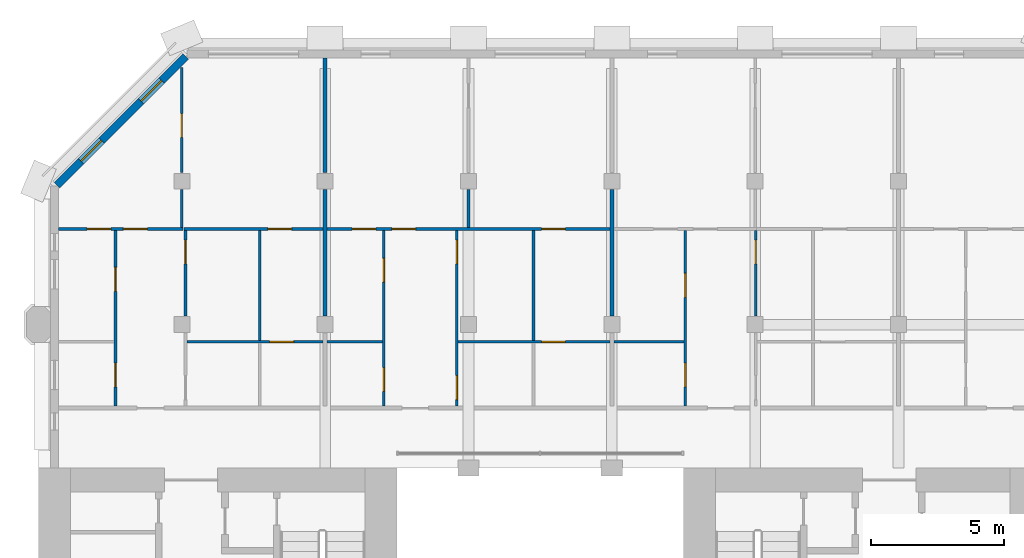
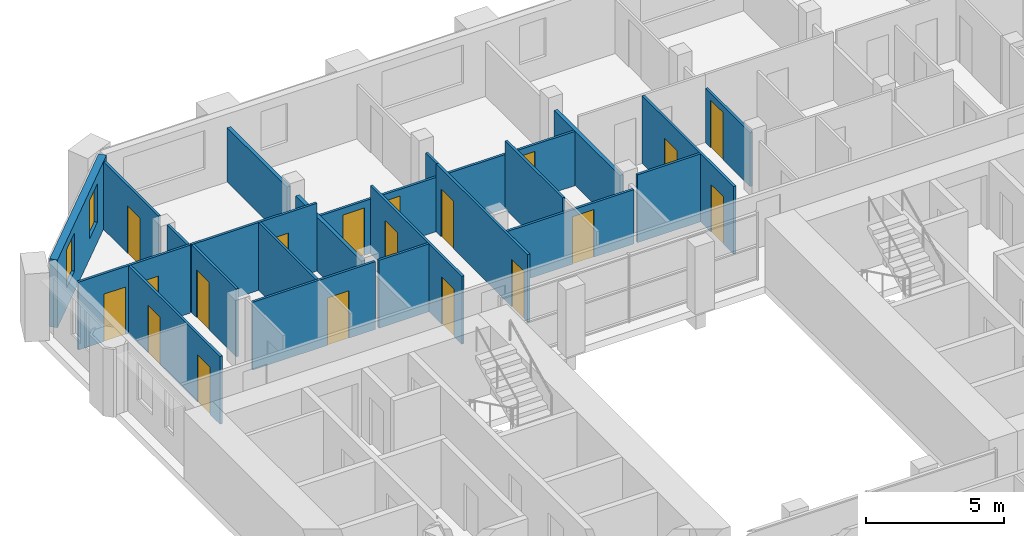
# One storey, part 8 of 13: 22 walls, 19 doors, 2 windows, 21 openings.
"""IFC4 building model written with IfcOpenShell, lengths in metres."""

from ifc_helpers import new_model, si_unit, direction, frame, frame_2d, origin, place, context, subcontext, project, spatial, rectangle, extrude, material, layer, layer_set, type_object, element, fill, save


model = new_model("IFC4")

# Units and contexts
model_context = context("Model", 3, precision=1e-05, world=origin(), true_north=direction((0.0, 1.0)))
body_context = subcontext(model_context, "Body", "Model", "MODEL_VIEW")
ifc_project = project(units=[si_unit("LENGTHUNIT", "METRE"), si_unit("AREAUNIT", "SQUARE_METRE"), si_unit("VOLUMEUNIT", "CUBIC_METRE"), si_unit("PLANEANGLEUNIT", "RADIAN"), si_unit("MASSUNIT", "GRAM", prefix="KILO")], contexts=[model_context])

# Site, building, storey
site_placement = place(None, origin())
site = spatial("IfcSite", under=ifc_project, at=site_placement, CompositionType="ELEMENT")
building_placement = place(site_placement, origin())
building = spatial("IfcBuilding", under=site, at=building_placement, Name="Tabaq Tower and Sports Hall", CompositionType="ELEMENT")
storey_placement = place(building_placement, frame((0.0, 0.0, 291.699951171875)))
storey = spatial("IfcBuildingStorey", under=building, at=storey_placement, Name="L72", CompositionType="ELEMENT", Elevation=291.699951171875)

# Wall, openings, doors
ifc_material_1 = material(Name="Gypsum board on steel studs", Category="steel")
ifc_layer_1 = layer(ifc_material_1, 0.10009765625)
ifc_layer_set_1 = layer_set([ifc_layer_1], Name="Partition 100 Gypsum board")
wall_type_1 = type_object("IfcWallType", Name="Partition 100 Gypsum board", PredefinedType="PARTITIONING", material=ifc_layer_set_1)
wall_1_placement = place(storey_placement, frame((6.15087890625, 41.39990234375, 0.0), z_axis=(0.0, 0.0, 1.0), x_axis=(1.0, 0.0, 0.0)))
wall_1 = element("IfcWall", 1, at=wall_1_placement, inside=storey, type_object=wall_type_1, Name="Partition wall L72", PredefinedType="PARTITIONING", context=body_context, shape_type="SweptSolid", body=[
    extrude(rectangle(XDim=4.69921875, YDim=0.10009765625, at=frame_2d((2.349609375, 0.0))), origin(), (0.0, 0.0, 1.0), 3.0),
])
opening_1_placement = place(wall_1_placement, frame((1.0791015625, 0.0, 0.0)))
opening_1 = element("IfcOpeningElement", 2, at=opening_1_placement, cuts=wall_1, Name="Opening L72-032", PredefinedType="OPENING", context=body_context, shape_type="SweptSolid", body=[
    extrude(rectangle(XDim=0.89990234375, YDim=2.10009765625, at=frame_2d((0.449951171875, 1.050048828125))), frame((0.0, 0.050048828125, 0.0), z_axis=(0.0, -1.0, 0.0), x_axis=(1.0, 0.0, 0.0)), (0.0, 0.0, 1.0), 0.10009765625),
])
opening_2_placement = place(wall_1_placement, frame((2.448974609375, 0.0, 0.0)))
opening_2 = element("IfcOpeningElement", 3, at=opening_2_placement, cuts=wall_1, Name="Opening L72-052", PredefinedType="OPENING", context=body_context, shape_type="SweptSolid", body=[
    extrude(rectangle(XDim=0.89990234375, YDim=2.10009765625, at=frame_2d((0.449951171875, 1.050048828125))), frame((0.0, 0.050048828125, 0.0), z_axis=(0.0, -1.0, 0.0), x_axis=(1.0, 0.0, 0.0)), (0.0, 0.0, 1.0), 0.10009765625),
])
ifc_material_2 = material(Name="Timber leaf in steel frame", Category="steel")
door_type_1 = type_object("IfcDoorType", Name="Internal door 900 left hand", OperationType="SINGLE_SWING_LEFT", PredefinedType="DOOR", material=ifc_material_2)
door_1_placement = place(opening_1_placement, origin())
door_1 = element("IfcDoor", 4, at=door_1_placement, inside=storey, type_object=door_type_1, Name="Internal door L72-032", OperationType="SINGLE_SWING_LEFT", OverallHeight=2.10009765625, OverallWidth=0.89990234375, PredefinedType="DOOR", context=body_context, shape_type="SweptSolid", body=[
    extrude(rectangle(XDim=0.89990234375, YDim=2.10009765625, at=frame_2d((0.449951171875, 1.050048828125))), frame((0.0, 0.02490234375, 0.0), z_axis=(0.0, -1.0, 0.0), x_axis=(1.0, 0.0, 0.0)), (0.0, 0.0, 1.0), 0.050048828125),
])
fill(opening_1, door_1)
ifc_material_3 = material(Name="Timber leaf in steel frame", Category="steel")
door_type_2 = type_object("IfcDoorType", Name="Internal door 900 right hand", OperationType="SINGLE_SWING_RIGHT", PredefinedType="DOOR", material=ifc_material_3)
door_2_placement = place(opening_2_placement, origin())
door_2 = element("IfcDoor", 5, at=door_2_placement, inside=storey, type_object=door_type_2, Name="Internal door L72-052", OperationType="SINGLE_SWING_RIGHT", OverallHeight=2.10009765625, OverallWidth=0.89990234375, PredefinedType="DOOR", context=body_context, shape_type="SweptSolid", body=[
    extrude(rectangle(XDim=0.89990234375, YDim=2.10009765625, at=frame_2d((0.449951171875, 1.050048828125))), frame((0.0, 0.02490234375, 0.0), z_axis=(0.0, -1.0, 0.0), x_axis=(1.0, 0.0, 0.0)), (0.0, 0.0, 1.0), 0.050048828125),
])
fill(opening_2, door_2)

# Wall
wall_2_placement = place(storey_placement, frame((10.800048828125, 41.449951171875, 0.0), z_axis=(0.0, 0.0, 1.0), x_axis=(0.0, 1.0, 0.0)))
element("IfcWall", 6, at=wall_2_placement, inside=storey, type_object=wall_type_1, Name="Partition wall L72", PredefinedType="PARTITIONING", context=body_context, shape_type="SweptSolid", body=[
    extrude(rectangle(XDim=1.429931640625, YDim=0.10009765625, at=frame_2d((0.71484375, 0.0))), origin(), (0.0, 0.0, 1.0), 3.0),
])

# Wall, opening, door
wall_3_placement = place(storey_placement, frame((10.800048828125, 43.52001953125, 0.0), z_axis=(0.0, 0.0, 1.0), x_axis=(0.0, 1.0, 0.0)))
wall_3 = element("IfcWall", 7, at=wall_3_placement, inside=storey, type_object=wall_type_1, Name="Partition wall L72", PredefinedType="PARTITIONING", context=body_context, shape_type="SweptSolid", body=[
    extrude(rectangle(XDim=3.9677734375, YDim=0.10009765625, at=frame_2d((1.98388671875, 0.0))), origin(), (0.0, 0.0, 1.0), 3.0),
])
opening_3_placement = place(wall_3_placement, frame((1.330078125, 0.0, 0.0)))
opening_3 = element("IfcOpeningElement", 8, at=opening_3_placement, cuts=wall_3, Name="Opening L72-031", PredefinedType="OPENING", context=body_context, shape_type="SweptSolid", body=[
    extrude(rectangle(XDim=0.89990234375, YDim=2.10009765625, at=frame_2d((0.449951171875, 1.050048828125))), frame((0.0, 0.050048828125, 0.0), z_axis=(0.0, -1.0, 0.0), x_axis=(1.0, 0.0, 0.0)), (0.0, 0.0, 1.0), 0.10009765625),
])
door_3_placement = place(opening_3_placement, origin())
door_3 = element("IfcDoor", 9, at=door_3_placement, inside=storey, type_object=door_type_1, Name="Internal door L72-031", OperationType="SINGLE_SWING_LEFT", OverallHeight=2.10009765625, OverallWidth=0.89990234375, PredefinedType="DOOR", context=body_context, shape_type="SweptSolid", body=[
    extrude(rectangle(XDim=0.89990234375, YDim=2.10009765625, at=frame_2d((0.449951171875, 1.050048828125))), frame((0.0, 0.02490234375, 0.0), z_axis=(0.0, -1.0, 0.0), x_axis=(1.0, 0.0, 0.0)), (0.0, 0.0, 1.0), 0.050048828125),
])
fill(opening_3, door_3)

wall_4_placement = place(storey_placement, frame((10.889892578125, 41.39990234375, 0.0), z_axis=(0.0, 0.0, 1.0), x_axis=(1.0, 0.0, 0.0)))
wall_4 = element("IfcWall", 10, at=wall_4_placement, inside=storey, type_object=wall_type_1, Name="Partition wall L72", PredefinedType="PARTITIONING", context=body_context, shape_type="SweptSolid", body=[
    extrude(rectangle(XDim=5.235107421875, YDim=0.10009765625, at=frame_2d((2.61767578125, 0.0))), origin(), (0.0, 0.0, 1.0), 3.0),
])
opening_4_placement = place(wall_4_placement, frame((3.14990234375, 0.0, 0.0)))
opening_4 = element("IfcOpeningElement", 11, at=opening_4_placement, cuts=wall_4, Name="Opening L72-033", PredefinedType="OPENING", context=body_context, shape_type="SweptSolid", body=[
    extrude(rectangle(XDim=0.89990234375, YDim=2.10009765625, at=frame_2d((0.449951171875, 1.050048828125))), frame((0.0, 0.050048828125, 0.0), z_axis=(0.0, -1.0, 0.0), x_axis=(1.0, 0.0, 0.0)), (0.0, 0.0, 1.0), 0.10009765625),
])
door_4_placement = place(opening_4_placement, origin())
door_4 = element("IfcDoor", 12, at=door_4_placement, inside=storey, type_object=door_type_2, Name="Internal door L72-033", OperationType="SINGLE_SWING_RIGHT", OverallHeight=2.10009765625, OverallWidth=0.89990234375, PredefinedType="DOOR", context=body_context, shape_type="SweptSolid", body=[
    extrude(rectangle(XDim=0.89990234375, YDim=2.10009765625, at=frame_2d((0.449951171875, 1.050048828125))), frame((0.0, 0.02490234375, 0.0), z_axis=(0.0, -1.0, 0.0), x_axis=(1.0, 0.0, 0.0)), (0.0, 0.0, 1.0), 0.050048828125),
])
fill(opening_4, door_4)

# Wall, openings, doors
wall_5_placement = place(storey_placement, frame((8.300048828125, 34.72509765625, 0.0), z_axis=(0.0, 0.0, 1.0), x_axis=(0.0, 1.0, 0.0)))
wall_5 = element("IfcWall", 13, at=wall_5_placement, inside=storey, type_object=wall_type_1, Name="Partition wall L72", PredefinedType="PARTITIONING", context=body_context, shape_type="SweptSolid", body=[
    extrude(rectangle(XDim=6.625, YDim=0.10009765625, at=frame_2d((3.3125, 0.0))), origin(), (0.0, 0.0, 1.0), 3.0),
])
opening_5_placement = place(wall_5_placement, frame((0.72509765625, 0.0, 0.0)))
opening_5 = element("IfcOpeningElement", 14, at=opening_5_placement, cuts=wall_5, Name="Opening L72-001", PredefinedType="OPENING", context=body_context, shape_type="SweptSolid", body=[
    extrude(rectangle(XDim=0.89990234375, YDim=2.10009765625, at=frame_2d((0.449951171875, 1.050048828125))), frame((0.0, 0.050048828125, 0.0), z_axis=(0.0, -1.0, 0.0), x_axis=(1.0, 0.0, 0.0)), (0.0, 0.0, 1.0), 0.10009765625),
])
opening_6_placement = place(wall_5_placement, frame((4.3291015625, 0.0, 0.0)))
opening_6 = element("IfcOpeningElement", 15, at=opening_6_placement, cuts=wall_5, Name="Opening L72-034", PredefinedType="OPENING", context=body_context, shape_type="SweptSolid", body=[
    extrude(rectangle(XDim=0.89990234375, YDim=2.10009765625, at=frame_2d((0.449951171875, 1.050048828125))), frame((0.0, 0.050048828125, 0.0), z_axis=(0.0, -1.0, 0.0), x_axis=(1.0, 0.0, 0.0)), (0.0, 0.0, 1.0), 0.10009765625),
])
door_5_placement = place(opening_5_placement, origin())
door_5 = element("IfcDoor", 16, at=door_5_placement, inside=storey, type_object=door_type_1, Name="Internal door L72-001", OperationType="SINGLE_SWING_LEFT", OverallHeight=2.10009765625, OverallWidth=0.89990234375, PredefinedType="DOOR", context=body_context, shape_type="SweptSolid", body=[
    extrude(rectangle(XDim=0.89990234375, YDim=2.10009765625, at=frame_2d((0.449951171875, 1.050048828125))), frame((0.0, 0.02490234375, 0.0), z_axis=(0.0, -1.0, 0.0), x_axis=(1.0, 0.0, 0.0)), (0.0, 0.0, 1.0), 0.050048828125),
])
fill(opening_5, door_5)
door_6_placement = place(opening_6_placement, origin())
door_6 = element("IfcDoor", 17, at=door_6_placement, inside=storey, type_object=door_type_2, Name="Internal door L72-034", OperationType="SINGLE_SWING_RIGHT", OverallHeight=2.10009765625, OverallWidth=0.89990234375, PredefinedType="DOOR", context=body_context, shape_type="SweptSolid", body=[
    extrude(rectangle(XDim=0.89990234375, YDim=2.10009765625, at=frame_2d((0.449951171875, 1.050048828125))), frame((0.0, 0.02490234375, 0.0), z_axis=(0.0, -1.0, 0.0), x_axis=(1.0, 0.0, 0.0)), (0.0, 0.0, 1.0), 0.050048828125),
])
fill(opening_6, door_6)

# Wall, opening, door
wall_6_placement = place(storey_placement, frame((10.93994140625, 38.1201171875, 0.0), z_axis=(0.0, 0.0, 1.0), x_axis=(0.0, 1.0, 0.0)))
wall_6 = element("IfcWall", 18, at=wall_6_placement, inside=storey, type_object=wall_type_1, Name="Partition wall L72", PredefinedType="PARTITIONING", context=body_context, shape_type="SweptSolid", body=[
    extrude(rectangle(XDim=3.22998046875, YDim=0.10009765625, at=frame_2d((1.614990234375, 0.0))), origin(), (0.0, 0.0, 1.0), 3.0),
])
opening_7_placement = place(wall_6_placement, frame((1.965087890625, 0.0, 0.0)))
opening_7 = element("IfcOpeningElement", 19, at=opening_7_placement, cuts=wall_6, Name="Opening L72-002", PredefinedType="OPENING", context=body_context, shape_type="SweptSolid", body=[
    extrude(rectangle(XDim=0.89990234375, YDim=2.10009765625, at=frame_2d((0.449951171875, 1.050048828125))), frame((0.0, 0.050048828125, 0.0), z_axis=(0.0, -1.0, 0.0), x_axis=(1.0, 0.0, 0.0)), (0.0, 0.0, 1.0), 0.10009765625),
])
door_7_placement = place(opening_7_placement, origin())
door_7 = element("IfcDoor", 20, at=door_7_placement, inside=storey, type_object=door_type_2, Name="Internal door L72-002", OperationType="SINGLE_SWING_RIGHT", OverallHeight=2.10009765625, OverallWidth=0.89990234375, PredefinedType="DOOR", context=body_context, shape_type="SweptSolid", body=[
    extrude(rectangle(XDim=0.89990234375, YDim=2.10009765625, at=frame_2d((0.449951171875, 1.050048828125))), frame((0.0, 0.02490234375, 0.0), z_axis=(0.0, -1.0, 0.0), x_axis=(1.0, 0.0, 0.0)), (0.0, 0.0, 1.0), 0.050048828125),
])
fill(opening_7, door_7)

# Wall
wall_7_placement = place(storey_placement, frame((13.739990234375, 37.199951171875, 0.0), z_axis=(0.0, 0.0, 1.0), x_axis=(0.0, 1.0, 0.0)))
element("IfcWall", 21, at=wall_7_placement, inside=storey, type_object=wall_type_1, Name="Partition wall L72", PredefinedType="PARTITIONING", context=body_context, shape_type="SweptSolid", body=[
    extrude(rectangle(XDim=4.150146484375, YDim=0.10009765625, at=frame_2d((2.0751953125, 0.0))), origin(), (0.0, 0.0, 1.0), 3.0),
])

# Wall, opening, door
wall_8_placement = place(storey_placement, frame((10.989990234375, 37.14990234375, 0.0), z_axis=(0.0, 0.0, 1.0), x_axis=(1.0, 0.0, 0.0)))
wall_8 = element("IfcWall", 22, at=wall_8_placement, inside=storey, type_object=wall_type_1, Name="Partition wall L72", PredefinedType="PARTITIONING", context=body_context, shape_type="SweptSolid", body=[
    extrude(rectangle(XDim=5.135009765625, YDim=0.10009765625, at=frame_2d((2.5673828125, 0.0))), origin(), (0.0, 0.0, 1.0), 3.0),
])
opening_8_placement = place(wall_8_placement, frame((3.1201171875, 0.0, 0.0)))
opening_8 = element("IfcOpeningElement", 23, at=opening_8_placement, cuts=wall_8, Name="Opening L72-004", PredefinedType="OPENING", context=body_context, shape_type="SweptSolid", body=[
    extrude(rectangle(XDim=0.89990234375, YDim=2.10009765625, at=frame_2d((0.449951171875, 1.050048828125))), frame((0.0, 0.050048828125, 0.0), z_axis=(0.0, -1.0, 0.0), x_axis=(1.0, 0.0, 0.0)), (0.0, 0.0, 1.0), 0.10009765625),
])
door_8_placement = place(opening_8_placement, origin())
door_8 = element("IfcDoor", 24, at=door_8_placement, inside=storey, type_object=door_type_2, Name="Internal door L72-004", OperationType="SINGLE_SWING_RIGHT", OverallHeight=2.10009765625, OverallWidth=0.89990234375, PredefinedType="DOOR", context=body_context, shape_type="SweptSolid", body=[
    extrude(rectangle(XDim=0.89990234375, YDim=2.10009765625, at=frame_2d((0.449951171875, 1.050048828125))), frame((0.0, 0.02490234375, 0.0), z_axis=(0.0, -1.0, 0.0), x_axis=(1.0, 0.0, 0.0)), (0.0, 0.0, 1.0), 0.050048828125),
])
fill(opening_8, door_8)

# Wall
wall_9_placement = place(storey_placement, frame((21.60009765625, 41.449951171875, 0.0), z_axis=(0.0, 0.0, 1.0), x_axis=(0.0, 1.0, 0.0)))
element("IfcWall", 25, at=wall_9_placement, inside=storey, type_object=wall_type_1, Name="Partition wall L72", PredefinedType="PARTITIONING", context=body_context, shape_type="SweptSolid", body=[
    extrude(rectangle(XDim=1.429931640625, YDim=0.10009765625, at=frame_2d((0.71484375, 0.0))), origin(), (0.0, 0.0, 1.0), 2.400146484375),
])

# Wall, openings, doors
wall_10_placement = place(storey_placement, frame((16.27490234375, 41.39990234375, 0.0), z_axis=(0.0, 0.0, 1.0), x_axis=(1.0, 0.0, 0.0)))
wall_10 = element("IfcWall", 26, at=wall_10_placement, inside=storey, type_object=wall_type_1, Name="Partition wall L72", PredefinedType="PARTITIONING", context=body_context, shape_type="SweptSolid", body=[
    extrude(rectangle(XDim=10.650146484375, YDim=0.10009765625, at=frame_2d((5.3251953125, 0.0))), origin(), (0.0, 0.0, 1.0), 2.400146484375),
])
opening_9_placement = place(wall_10_placement, frame((0.93701171875, 0.0, 0.0)))
opening_9 = element("IfcOpeningElement", 27, at=opening_9_placement, cuts=wall_10, Name="Opening L72-036", PredefinedType="OPENING", context=body_context, shape_type="SweptSolid", body=[
    extrude(rectangle(XDim=0.89990234375, YDim=2.10009765625, at=frame_2d((0.449951171875, 1.050048828125))), frame((0.0, 0.050048828125, 0.0), z_axis=(0.0, -1.0, 0.0), x_axis=(1.0, 0.0, 0.0)), (0.0, 0.0, 1.0), 0.10009765625),
])
opening_10_placement = place(wall_10_placement, frame((8.074951171875, 0.0, 0.0)))
opening_10 = element("IfcOpeningElement", 28, at=opening_10_placement, cuts=wall_10, Name="Opening L72-037", PredefinedType="OPENING", context=body_context, shape_type="SweptSolid", body=[
    extrude(rectangle(XDim=0.89990234375, YDim=2.10009765625, at=frame_2d((0.449951171875, 1.050048828125))), frame((0.0, 0.050048828125, 0.0), z_axis=(0.0, -1.0, 0.0), x_axis=(1.0, 0.0, 0.0)), (0.0, 0.0, 1.0), 0.10009765625),
])
opening_11_placement = place(wall_10_placement, frame((2.43701171875, 0.0, 0.0)))
opening_11 = element("IfcOpeningElement", 29, at=opening_11_placement, cuts=wall_10, Name="Opening L72-053", PredefinedType="OPENING", context=body_context, shape_type="SweptSolid", body=[
    extrude(rectangle(XDim=0.89990234375, YDim=2.10009765625, at=frame_2d((0.449951171875, 1.050048828125))), frame((0.0, 0.050048828125, 0.0), z_axis=(0.0, -1.0, 0.0), x_axis=(1.0, 0.0, 0.0)), (0.0, 0.0, 1.0), 0.10009765625),
])
door_9_placement = place(opening_9_placement, origin())
door_9 = element("IfcDoor", 30, at=door_9_placement, inside=storey, type_object=door_type_1, Name="Internal door L72-036", OperationType="SINGLE_SWING_LEFT", OverallHeight=2.10009765625, OverallWidth=0.89990234375, PredefinedType="DOOR", context=body_context, shape_type="SweptSolid", body=[
    extrude(rectangle(XDim=0.89990234375, YDim=2.10009765625, at=frame_2d((0.449951171875, 1.050048828125))), frame((0.0, 0.02490234375, 0.0), z_axis=(0.0, -1.0, 0.0), x_axis=(1.0, 0.0, 0.0)), (0.0, 0.0, 1.0), 0.050048828125),
])
fill(opening_9, door_9)
door_10_placement = place(opening_10_placement, origin())
door_10 = element("IfcDoor", 31, at=door_10_placement, inside=storey, type_object=door_type_2, Name="Internal door L72-037", OperationType="SINGLE_SWING_RIGHT", OverallHeight=2.10009765625, OverallWidth=0.89990234375, PredefinedType="DOOR", context=body_context, shape_type="SweptSolid", body=[
    extrude(rectangle(XDim=0.89990234375, YDim=2.10009765625, at=frame_2d((0.449951171875, 1.050048828125))), frame((0.0, 0.02490234375, 0.0), z_axis=(0.0, -1.0, 0.0), x_axis=(1.0, 0.0, 0.0)), (0.0, 0.0, 1.0), 0.050048828125),
])
fill(opening_10, door_10)
door_11_placement = place(opening_11_placement, origin())
door_11 = element("IfcDoor", 32, at=door_11_placement, inside=storey, type_object=door_type_2, Name="Internal door L72-053", OperationType="SINGLE_SWING_RIGHT", OverallHeight=2.10009765625, OverallWidth=0.89990234375, PredefinedType="DOOR", context=body_context, shape_type="SweptSolid", body=[
    extrude(rectangle(XDim=0.89990234375, YDim=2.10009765625, at=frame_2d((0.449951171875, 1.050048828125))), frame((0.0, 0.02490234375, 0.0), z_axis=(0.0, -1.0, 0.0), x_axis=(1.0, 0.0, 0.0)), (0.0, 0.0, 1.0), 0.050048828125),
])
fill(opening_11, door_11)

# Wall
wall_11_placement = place(storey_placement, frame((16.27490234375, 37.14990234375, 0.0), z_axis=(0.0, 0.0, 1.0), x_axis=(1.0, 0.0, 0.0)))
element("IfcWall", 33, at=wall_11_placement, inside=storey, type_object=wall_type_1, Name="Partition wall L72", PredefinedType="PARTITIONING", context=body_context, shape_type="SweptSolid", body=[
    extrude(rectangle(XDim=2.087158203125, YDim=0.10009765625, at=frame_2d((1.04345703125, 0.0))), origin(), (0.0, 0.0, 1.0), 3.0),
])

# Wall, openings, doors
wall_12_placement = place(storey_placement, frame((18.412109375, 34.72509765625, 0.0), z_axis=(0.0, 0.0, 1.0), x_axis=(0.0, 1.0, 0.0)))
wall_12 = element("IfcWall", 34, at=wall_12_placement, inside=storey, type_object=wall_type_1, Name="Partition wall L72", PredefinedType="PARTITIONING", context=body_context, shape_type="SweptSolid", body=[
    extrude(rectangle(XDim=6.625, YDim=0.10009765625, at=frame_2d((3.3125, 0.0))), origin(), (0.0, 0.0, 1.0), 3.0),
])
opening_12_placement = place(wall_12_placement, frame((0.55810546875, 0.0, 0.0)))
opening_12 = element("IfcOpeningElement", 35, at=opening_12_placement, cuts=wall_12, Name="Opening L72-005", PredefinedType="OPENING", context=body_context, shape_type="SweptSolid", body=[
    extrude(rectangle(XDim=0.89990234375, YDim=2.10009765625, at=frame_2d((0.449951171875, 1.050048828125))), frame((0.0, 0.050048828125, 0.0), z_axis=(0.0, -1.0, 0.0), x_axis=(1.0, 0.0, 0.0)), (0.0, 0.0, 1.0), 0.10009765625),
])
opening_13_placement = place(wall_12_placement, frame((4.673095703125, 0.0, 0.0)))
opening_13 = element("IfcOpeningElement", 36, at=opening_13_placement, cuts=wall_12, Name="Opening L72-038", PredefinedType="OPENING", context=body_context, shape_type="SweptSolid", body=[
    extrude(rectangle(XDim=0.89990234375, YDim=2.10009765625, at=frame_2d((0.449951171875, 1.050048828125))), frame((0.0, 0.050048828125, 0.0), z_axis=(0.0, -1.0, 0.0), x_axis=(1.0, 0.0, 0.0)), (0.0, 0.0, 1.0), 0.10009765625),
])
door_12_placement = place(opening_13_placement, origin())
door_12 = element("IfcDoor", 37, at=door_12_placement, inside=storey, type_object=door_type_1, Name="Internal door L72-038", OperationType="SINGLE_SWING_LEFT", OverallHeight=2.10009765625, OverallWidth=0.89990234375, PredefinedType="DOOR", context=body_context, shape_type="SweptSolid", body=[
    extrude(rectangle(XDim=0.89990234375, YDim=2.10009765625, at=frame_2d((0.449951171875, 1.050048828125))), frame((0.0, 0.02490234375, 0.0), z_axis=(0.0, -1.0, 0.0), x_axis=(1.0, 0.0, 0.0)), (0.0, 0.0, 1.0), 0.050048828125),
])
fill(opening_13, door_12)
door_13_placement = place(opening_12_placement, origin())
door_13 = element("IfcDoor", 38, at=door_13_placement, inside=storey, type_object=door_type_2, Name="Internal door L72-005", OperationType="SINGLE_SWING_RIGHT", OverallHeight=2.10009765625, OverallWidth=0.89990234375, PredefinedType="DOOR", context=body_context, shape_type="SweptSolid", body=[
    extrude(rectangle(XDim=0.89990234375, YDim=2.10009765625, at=frame_2d((0.449951171875, 1.050048828125))), frame((0.0, 0.02490234375, 0.0), z_axis=(0.0, -1.0, 0.0), x_axis=(1.0, 0.0, 0.0)), (0.0, 0.0, 1.0), 0.050048828125),
])
fill(opening_12, door_13)

wall_13_placement = place(storey_placement, frame((21.162109375, 34.72509765625, 0.0), z_axis=(0.0, 0.0, 1.0), x_axis=(0.0, 1.0, 0.0)))
wall_13 = element("IfcWall", 39, at=wall_13_placement, inside=storey, type_object=wall_type_1, Name="Partition wall L72", PredefinedType="PARTITIONING", context=body_context, shape_type="SweptSolid", body=[
    extrude(rectangle(XDim=6.625, YDim=0.10009765625, at=frame_2d((3.3125, 0.0))), origin(), (0.0, 0.0, 1.0), 3.0),
])
opening_14_placement = place(wall_13_placement, frame((5.360107421875, 0.0, 0.0)))
opening_14 = element("IfcOpeningElement", 40, at=opening_14_placement, cuts=wall_13, Name="Opening L72-006", PredefinedType="OPENING", context=body_context, shape_type="SweptSolid", body=[
    extrude(rectangle(XDim=0.89990234375, YDim=2.10009765625, at=frame_2d((0.449951171875, 1.050048828125))), frame((0.0, 0.050048828125, 0.0), z_axis=(0.0, -1.0, 0.0), x_axis=(1.0, 0.0, 0.0)), (0.0, 0.0, 1.0), 0.10009765625),
])
opening_15_placement = place(wall_13_placement, frame((0.25, 0.0, 0.0)))
opening_15 = element("IfcOpeningElement", 41, at=opening_15_placement, cuts=wall_13, Name="Opening L72-007", PredefinedType="OPENING", context=body_context, shape_type="SweptSolid", body=[
    extrude(rectangle(XDim=0.89990234375, YDim=2.10009765625, at=frame_2d((0.449951171875, 1.050048828125))), frame((0.0, 0.050048828125, 0.0), z_axis=(0.0, -1.0, 0.0), x_axis=(1.0, 0.0, 0.0)), (0.0, 0.0, 1.0), 0.10009765625),
])
door_14_placement = place(opening_14_placement, origin())
door_14 = element("IfcDoor", 42, at=door_14_placement, inside=storey, type_object=door_type_1, Name="Internal door L72-006", OperationType="SINGLE_SWING_LEFT", OverallHeight=2.10009765625, OverallWidth=0.89990234375, PredefinedType="DOOR", context=body_context, shape_type="SweptSolid", body=[
    extrude(rectangle(XDim=0.89990234375, YDim=2.10009765625, at=frame_2d((0.449951171875, 1.050048828125))), frame((0.0, 0.02490234375, 0.0), z_axis=(0.0, -1.0, 0.0), x_axis=(1.0, 0.0, 0.0)), (0.0, 0.0, 1.0), 0.050048828125),
])
fill(opening_14, door_14)
door_15_placement = place(opening_15_placement, origin())
door_15 = element("IfcDoor", 43, at=door_15_placement, inside=storey, type_object=door_type_1, Name="Internal door L72-007", OperationType="SINGLE_SWING_LEFT", OverallHeight=2.10009765625, OverallWidth=0.89990234375, PredefinedType="DOOR", context=body_context, shape_type="SweptSolid", body=[
    extrude(rectangle(XDim=0.89990234375, YDim=2.10009765625, at=frame_2d((0.449951171875, 1.050048828125))), frame((0.0, 0.02490234375, 0.0), z_axis=(0.0, -1.0, 0.0), x_axis=(1.0, 0.0, 0.0)), (0.0, 0.0, 1.0), 0.050048828125),
])
fill(opening_15, door_15)

# Wall
wall_14_placement = place(storey_placement, frame((24.050048828125, 37.199951171875, 0.0), z_axis=(0.0, 0.0, 1.0), x_axis=(0.0, 1.0, 0.0)))
element("IfcWall", 44, at=wall_14_placement, inside=storey, type_object=wall_type_1, Name="Partition wall L72", PredefinedType="PARTITIONING", context=body_context, shape_type="SweptSolid", body=[
    extrude(rectangle(XDim=4.150146484375, YDim=0.10009765625, at=frame_2d((2.0751953125, 0.0))), origin(), (0.0, 0.0, 1.0), 3.0),
])

# Wall, opening, door
wall_15_placement = place(storey_placement, frame((21.2119140625, 37.14990234375, 0.0), z_axis=(0.0, 0.0, 1.0), x_axis=(1.0, 0.0, 0.0)))
wall_15 = element("IfcWall", 45, at=wall_15_placement, inside=storey, type_object=wall_type_1, Name="Partition wall L72", PredefinedType="PARTITIONING", context=body_context, shape_type="SweptSolid", body=[
    extrude(rectangle(XDim=5.713134765625, YDim=0.10009765625, at=frame_2d((2.8564453125, 0.0))), origin(), (0.0, 0.0, 1.0), 2.400146484375),
])
opening_16_placement = place(wall_15_placement, frame((3.137939453125, 0.0, 0.0)))
opening_16 = element("IfcOpeningElement", 46, at=opening_16_placement, cuts=wall_15, Name="Opening L72-008", PredefinedType="OPENING", context=body_context, shape_type="SweptSolid", body=[
    extrude(rectangle(XDim=0.89990234375, YDim=2.10009765625, at=frame_2d((0.449951171875, 1.050048828125))), frame((0.0, 0.050048828125, 0.0), z_axis=(0.0, -1.0, 0.0), x_axis=(1.0, 0.0, 0.0)), (0.0, 0.0, 1.0), 0.10009765625),
])
door_16_placement = place(opening_16_placement, origin())
door_16 = element("IfcDoor", 47, at=door_16_placement, inside=storey, type_object=door_type_1, Name="Internal door L72-008", OperationType="SINGLE_SWING_LEFT", OverallHeight=2.10009765625, OverallWidth=0.89990234375, PredefinedType="DOOR", context=body_context, shape_type="SweptSolid", body=[
    extrude(rectangle(XDim=0.89990234375, YDim=2.10009765625, at=frame_2d((0.449951171875, 1.050048828125))), frame((0.0, 0.02490234375, 0.0), z_axis=(0.0, -1.0, 0.0), x_axis=(1.0, 0.0, 0.0)), (0.0, 0.0, 1.0), 0.050048828125),
])
fill(opening_16, door_16)

# Wall
wall_16_placement = place(storey_placement, frame((27.074951171875, 37.14990234375, 0.0), z_axis=(0.0, 0.0, 1.0), x_axis=(1.0, 0.0, 0.0)))
element("IfcWall", 48, at=wall_16_placement, inside=storey, type_object=wall_type_1, Name="Partition wall L72", PredefinedType="PARTITIONING", context=body_context, shape_type="SweptSolid", body=[
    extrude(rectangle(XDim=2.64501953125, YDim=0.10009765625, at=frame_2d((1.322509765625, 0.0))), origin(), (0.0, 0.0, 1.0), 3.0),
])

# Wall, openings, doors
wall_17_placement = place(storey_placement, frame((29.77001953125, 34.72509765625, 0.0), z_axis=(0.0, 0.0, 1.0), x_axis=(0.0, 1.0, 0.0)))
wall_17 = element("IfcWall", 49, at=wall_17_placement, inside=storey, type_object=wall_type_1, Name="Partition wall L72", PredefinedType="PARTITIONING", context=body_context, shape_type="SweptSolid", body=[
    extrude(rectangle(XDim=6.625, YDim=0.10009765625, at=frame_2d((3.3125, 0.0))), origin(), (0.0, 0.0, 1.0), 3.0),
])
opening_17_placement = place(wall_17_placement, frame((0.72509765625, 0.0, 0.0)))
opening_17 = element("IfcOpeningElement", 50, at=opening_17_placement, cuts=wall_17, Name="Opening L72-009", PredefinedType="OPENING", context=body_context, shape_type="SweptSolid", body=[
    extrude(rectangle(XDim=0.89990234375, YDim=2.10009765625, at=frame_2d((0.449951171875, 1.050048828125))), frame((0.0, 0.050048828125, 0.0), z_axis=(0.0, -1.0, 0.0), x_axis=(1.0, 0.0, 0.0)), (0.0, 0.0, 1.0), 0.10009765625),
])
opening_18_placement = place(wall_17_placement, frame((4.10009765625, 0.0, 0.0)))
opening_18 = element("IfcOpeningElement", 51, at=opening_18_placement, cuts=wall_17, Name="Opening L72-042", PredefinedType="OPENING", context=body_context, shape_type="SweptSolid", body=[
    extrude(rectangle(XDim=0.89990234375, YDim=2.10009765625, at=frame_2d((0.449951171875, 1.050048828125))), frame((0.0, 0.050048828125, 0.0), z_axis=(0.0, -1.0, 0.0), x_axis=(1.0, 0.0, 0.0)), (0.0, 0.0, 1.0), 0.10009765625),
])
door_17_placement = place(opening_17_placement, origin())
door_17 = element("IfcDoor", 52, at=door_17_placement, inside=storey, type_object=door_type_1, Name="Internal door L72-009", OperationType="SINGLE_SWING_LEFT", OverallHeight=2.10009765625, OverallWidth=0.89990234375, PredefinedType="DOOR", context=body_context, shape_type="SweptSolid", body=[
    extrude(rectangle(XDim=0.89990234375, YDim=2.10009765625, at=frame_2d((0.449951171875, 1.050048828125))), frame((0.0, 0.02490234375, 0.0), z_axis=(0.0, -1.0, 0.0), x_axis=(1.0, 0.0, 0.0)), (0.0, 0.0, 1.0), 0.050048828125),
])
fill(opening_17, door_17)
door_18_placement = place(opening_18_placement, origin())
door_18 = element("IfcDoor", 53, at=door_18_placement, inside=storey, type_object=door_type_2, Name="Internal door L72-042", OperationType="SINGLE_SWING_RIGHT", OverallHeight=2.10009765625, OverallWidth=0.89990234375, PredefinedType="DOOR", context=body_context, shape_type="SweptSolid", body=[
    extrude(rectangle(XDim=0.89990234375, YDim=2.10009765625, at=frame_2d((0.449951171875, 1.050048828125))), frame((0.0, 0.02490234375, 0.0), z_axis=(0.0, -1.0, 0.0), x_axis=(1.0, 0.0, 0.0)), (0.0, 0.0, 1.0), 0.050048828125),
])
fill(opening_18, door_18)

# Wall, opening, door
wall_18_placement = place(storey_placement, frame((32.419921875, 38.1201171875, 0.0), z_axis=(0.0, 0.0, 1.0), x_axis=(0.0, 1.0, 0.0)))
wall_18 = element("IfcWall", 54, at=wall_18_placement, inside=storey, type_object=wall_type_1, Name="Partition wall L72", PredefinedType="PARTITIONING", context=body_context, shape_type="SweptSolid", body=[
    extrude(rectangle(XDim=3.22998046875, YDim=0.10009765625, at=frame_2d((1.614990234375, 0.0))), origin(), (0.0, 0.0, 1.0), 2.400146484375),
])
opening_19_placement = place(wall_18_placement, frame((1.965087890625, 0.0, 0.0)))
opening_19 = element("IfcOpeningElement", 55, at=opening_19_placement, cuts=wall_18, Name="Opening L72-010", PredefinedType="OPENING", context=body_context, shape_type="SweptSolid", body=[
    extrude(rectangle(XDim=0.89990234375, YDim=2.10009765625, at=frame_2d((0.449951171875, 1.050048828125))), frame((0.0, 0.050048828125, 0.0), z_axis=(0.0, -1.0, 0.0), x_axis=(1.0, 0.0, 0.0)), (0.0, 0.0, 1.0), 0.10009765625),
])
door_19_placement = place(opening_19_placement, origin())
door_19 = element("IfcDoor", 56, at=door_19_placement, inside=storey, type_object=door_type_2, Name="Internal door L72-010", OperationType="SINGLE_SWING_RIGHT", OverallHeight=2.10009765625, OverallWidth=0.89990234375, PredefinedType="DOOR", context=body_context, shape_type="SweptSolid", body=[
    extrude(rectangle(XDim=0.89990234375, YDim=2.10009765625, at=frame_2d((0.449951171875, 1.050048828125))), frame((0.0, 0.02490234375, 0.0), z_axis=(0.0, -1.0, 0.0), x_axis=(1.0, 0.0, 0.0)), (0.0, 0.0, 1.0), 0.050048828125),
])
fill(opening_19, door_19)

# Walls
ifc_material_4 = material(Name="Blockwork", Category="masonry")
ifc_layer_2 = layer(ifc_material_4, 0.14990234375)
ifc_layer_set_2 = layer_set([ifc_layer_2], Name="Separating wall 150 Blockwork")
wall_type_2 = type_object("IfcWallType", Name="Separating wall 150 Blockwork", PredefinedType="PARTITIONING", material=ifc_layer_set_2)
wall_19_placement = place(storey_placement, frame((16.199951171875, 43.52001953125, 0.0), z_axis=(0.0, 0.0, 1.0), x_axis=(0.0, 1.0, 0.0)))
element("IfcWall", 57, at=wall_19_placement, inside=storey, type_object=wall_type_2, Name="Separating wall L72", PredefinedType="PARTITIONING", context=body_context, shape_type="SweptSolid", body=[
    extrude(rectangle(XDim=4.3291015625, YDim=0.14990234375, at=frame_2d((2.16455078125, 0.0))), origin(), (0.0, 0.0, 1.0), 2.400146484375),
])
for number, where, z_axis, x_axis, name in (
    (58, (16.199951171875, 38.1201171875, 0.0), (0.0, 0.0, 1.0), (0.0, 1.0, 0.0), "Separating wall L72"),
    (59, (27.0, 38.1201171875, 0.0), (0.0, 0.0, 1.0), (0.0, 1.0, 0.0), "Separating wall L72"),
):
    element("IfcWall", number, at=place(storey_placement, frame(where, z_axis=z_axis, x_axis=x_axis)), inside=storey, type_object=wall_type_2, Name=name, PredefinedType="PARTITIONING", context=body_context, shape_type="SweptSolid", body=[
        extrude(rectangle(XDim=4.759765625, YDim=0.14990234375, at=frame_2d((2.3798828125, 0.0))), origin(), (0.0, 0.0, 1.0), 2.400146484375),
    ])

# Wall, openings, windows
ifc_material_5 = material(Name="White precast concrete C60/75", Category="concrete")
ifc_layer_3 = layer(ifc_material_5, 0.300048828125)
ifc_layer_set_3 = layer_set([ifc_layer_3], Name="White precast concrete C60/75 external wall 300")
wall_type_3 = type_object("IfcWallType", Name="White precast concrete C60/75 external wall 300", PredefinedType="SOLIDWALL", material=ifc_layer_set_3)
wall_20_placement = place(storey_placement, frame((10.949462890625, 47.901123046875, 0.0), z_axis=(0.0, 0.0, 1.0), x_axis=(-0.707106781187, -0.707106781187, 0.0)))
wall_20 = element("IfcWall", 60, at=wall_20_placement, inside=storey, type_object=wall_type_3, Name="External Wall L72 NW", PredefinedType="SOLIDWALL", context=body_context, shape_type="SweptSolid", body=[
    extrude(rectangle(XDim=6.85986328125, YDim=0.300048828125, at=frame_2d((3.429931640625, 0.0))), origin(), (0.0, 0.0, 1.0), 3.0),
])
opening_20_placement = place(wall_20_placement, frame((1.27978515625, 0.0, 0.89990234375)))
opening_20 = element("IfcOpeningElement", 61, at=opening_20_placement, cuts=wall_20, Name="Opening W1B", PredefinedType="OPENING", context=body_context, shape_type="SweptSolid", body=[
    extrude(rectangle(XDim=1.10009765625, YDim=1.699951171875, at=frame_2d((0.550048828125, 0.85009765625))), frame((0.0, 0.16015625, 0.0), z_axis=(0.0, -1.0, 0.0), x_axis=(1.0, 0.0, 0.0)), (0.0, 0.0, 1.0), 0.320068359375),
])
opening_21_placement = place(wall_20_placement, frame((4.479736328125, 0.0, 0.89990234375)))
opening_21 = element("IfcOpeningElement", 62, at=opening_21_placement, cuts=wall_20, Name="Opening W1B", PredefinedType="OPENING", context=body_context, shape_type="SweptSolid", body=[
    extrude(rectangle(XDim=1.10009765625, YDim=1.699951171875, at=frame_2d((0.550048828125, 0.85009765625))), frame((0.0, 0.16015625, 0.0), z_axis=(0.0, -1.0, 0.0), x_axis=(1.0, 0.0, 0.0)), (0.0, 0.0, 1.0), 0.320068359375),
])
ifc_material_6 = material(Name="Aluminium framed clear glazing", Category="aluminium")
window_type = type_object("IfcWindowType", Name="Window W1B", PartitioningType="SINGLE_PANEL", PredefinedType="WINDOW", material=ifc_material_6)
window_1_placement = place(opening_20_placement, origin())
window_1 = element("IfcWindow", 63, at=window_1_placement, inside=storey, type_object=window_type, Name="Window W1B L72", OverallHeight=1.699951171875, OverallWidth=1.10009765625, PartitioningType="SINGLE_PANEL", PredefinedType="WINDOW", context=body_context, shape_type="SweptSolid", body=[
    extrude(rectangle(XDim=1.10009765625, YDim=1.699951171875, at=frame_2d((0.550048828125, 0.85009765625))), frame((0.0, 0.030029296875, 0.0), z_axis=(0.0, -1.0, 0.0), x_axis=(1.0, 0.0, 0.0)), (0.0, 0.0, 1.0), 0.06005859375),
])
fill(opening_20, window_1)
window_2_placement = place(opening_21_placement, origin())
window_2 = element("IfcWindow", 64, at=window_2_placement, inside=storey, type_object=window_type, Name="Window W1B L72", OverallHeight=1.699951171875, OverallWidth=1.10009765625, PartitioningType="SINGLE_PANEL", PredefinedType="WINDOW", context=body_context, shape_type="SweptSolid", body=[
    extrude(rectangle(XDim=1.10009765625, YDim=1.699951171875, at=frame_2d((0.550048828125, 0.85009765625))), frame((0.0, 0.030029296875, 0.0), z_axis=(0.0, -1.0, 0.0), x_axis=(1.0, 0.0, 0.0)), (0.0, 0.0, 1.0), 0.06005859375),
])
fill(opening_21, window_2)

save(model, "model.ifc")
